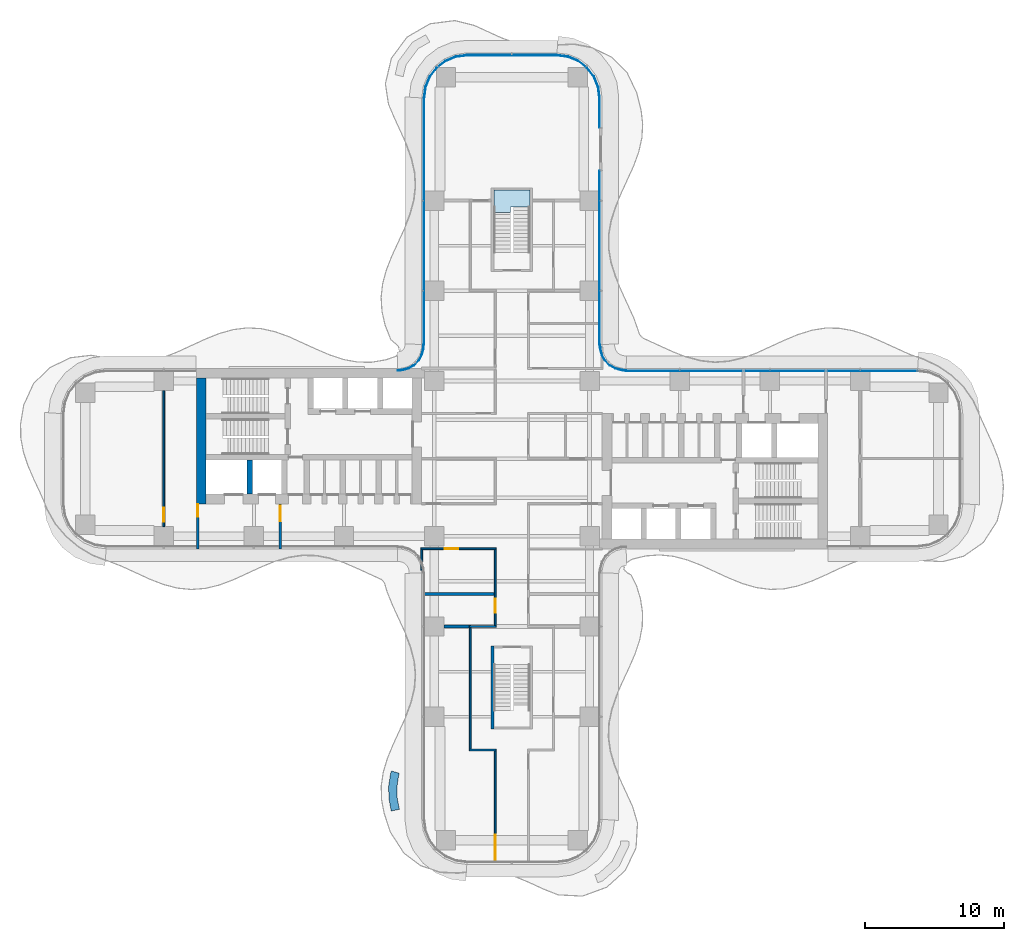
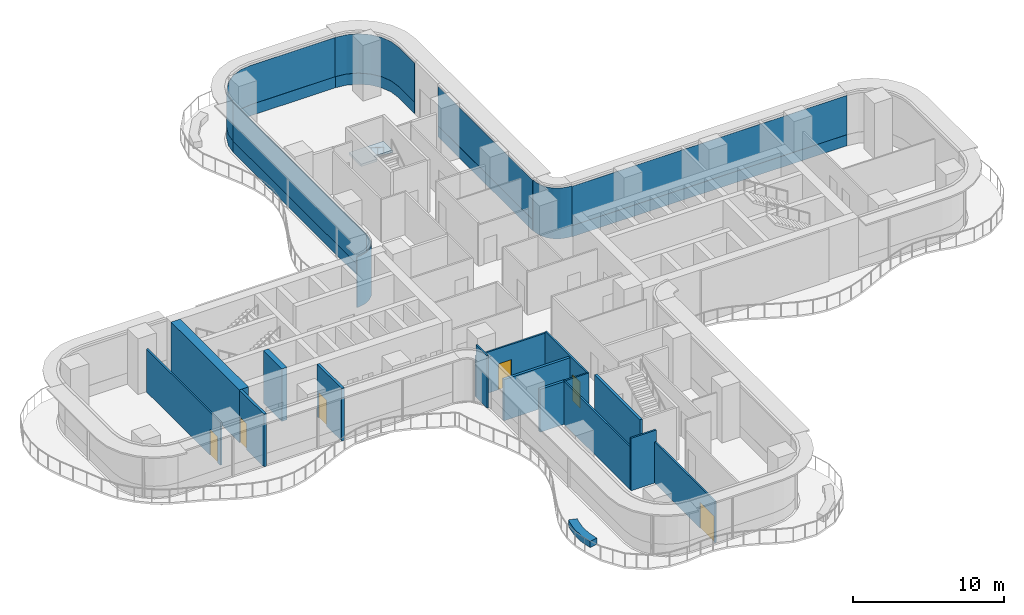
# One storey, part 16 of 22: 16 walls, 12 plates, 6 doors, 1 slab, 6 openings, 8 elements without a shape of their own.
"""IFC4 building model written with IfcOpenShell, lengths in metres."""

from ifc_helpers import new_model, si_unit, direction, frame, frame_2d, origin, place, context, subcontext, project, spatial, polyline, rectangle, outline, extrude, source, transform, mapped, material, layer, layer_set, type_object, element, fill, aggregate, save


model = new_model("IFC4")

# Units and contexts
model_context = context("Model", 3, precision=1e-05, world=origin(), true_north=direction((0.0, 1.0)))
body_context = subcontext(model_context, "Body", "Model", "MODEL_VIEW")
ifc_project = project(units=[si_unit("LENGTHUNIT", "METRE"), si_unit("AREAUNIT", "SQUARE_METRE"), si_unit("VOLUMEUNIT", "CUBIC_METRE"), si_unit("PLANEANGLEUNIT", "RADIAN"), si_unit("MASSUNIT", "GRAM", prefix="KILO")], contexts=[model_context])

# Site, building, storey
site_placement = place(None, origin())
site = spatial("IfcSite", under=ifc_project, at=site_placement, CompositionType="ELEMENT")
building_placement = place(site_placement, origin())
building = spatial("IfcBuilding", under=site, at=building_placement, Name="Trellis Farm Tower", CompositionType="ELEMENT")
storey_placement = place(building_placement, frame((0.0, 0.0, 47.5)))
storey = spatial("IfcBuildingStorey", under=building, at=storey_placement, Name="L09", CompositionType="ELEMENT", Elevation=47.5)

# Stair, slab
ifc_material_1 = material(Name="Concrete C50/60", Category="concrete")
stair_type = type_object("IfcStairType", Name="CORE EXIT STAIR 26 RISERS 173 MM", PredefinedType="HALF_TURN_STAIR", material=ifc_material_1)
placement_1 = place(storey_placement, origin())
stair = element("IfcStair", 1, at=placement_1, inside=storey, type_object=stair_type, Name="Exit stair N", PredefinedType="HALF_TURN_STAIR")
ifc_layer_1 = layer(ifc_material_1, 0.18994140625)
ifc_layer_set_1 = layer_set([ifc_layer_1], Name="CORE STAIR LANDING 190 CONCRETE C50/60")
slab_type = type_object("IfcSlabType", Name="CORE STAIR LANDING 190 CONCRETE C50/60", PredefinedType="LANDING", material=ifc_layer_set_1)
shared_shape_1 = source(origin(), body_context, "Body", "SweptSolid", [
    extrude(outline(polyline([(-0.10009765625, 17.753173828125), (-1.300048828125, 17.753173828125), (-1.300048828125, 18.14990234375), (-1.300048828125, 19.35009765625), (1.300048828125, 19.35009765625), (1.300048828125, 18.14990234375), (1.300048828125, 18.139892578125), (0.10009765625, 18.139892578125), (0.10009765625, 18.14990234375), (-0.10009765625, 18.14990234375), (-0.10009765625, 17.753173828125)])), origin(), (0.0, 0.0, 1.0), 0.18994140625),
])
slab_placement = place(storey_placement, frame((0.0, 0.0, 2.06005859375)))
slab = element("IfcSlab", 2, at=slab_placement, type_object=slab_type, Name="STN landing 1", PredefinedType="LANDING", context=body_context, shape_type="MappedRepresentation", body=[
    mapped(shared_shape_1, transform((0.0, 0.0, 0.0))),
])
aggregate(stair, [slab])

# Curtain wall, plates
ifc_material_2 = material(Name="Aluminium and glass curtain wall", Category="aluminium")
ifc_layer_2 = layer(ifc_material_2, 0.18994140625)
ifc_layer_set_2 = layer_set([ifc_layer_2], Name="RIBBON CURTAIN WALL CW1")
curtain_wall_type_1 = type_object("IfcCurtainWallType", Name="RIBBON CURTAIN WALL CW1", PredefinedType="NOTDEFINED", material=ifc_layer_set_2)
curtain_wall_1 = element("IfcCurtainWall", 3, at=placement_1, inside=storey, type_object=curtain_wall_type_1, Name="CW1 007", PredefinedType="NOTDEFINED")
ifc_material_3 = material(Name="Clear insulated glass", Category="glass")
ifc_layer_3 = layer(ifc_material_3, 0.0400390625)
ifc_layer_set_3 = layer_set([ifc_layer_3], Name="CW1 GLASS PANEL 40")
plate_type_1 = type_object("IfcPlateType", Name="CW1 GLASS PANEL 40", PredefinedType="CURTAIN_PANEL", material=ifc_layer_set_3)
shared_shape_2 = source(origin(), body_context, "Body", "SweptSolid", [
    extrude(outline(polyline([(29.240234375, 6.35009765625), (8.2265625, 6.35009765625), (8.22509765625, 6.31005859375), (29.237548828125, 6.31005859375), (29.240234375, 6.35009765625)])), origin(), (0.0, 0.0, 1.0), 3.170166015625),
])
placement_2 = place(storey_placement, frame((0.0, 0.0, 0.89990234375)))
plate_1 = element("IfcPlate", 4, at=placement_2, type_object=plate_type_1, Name="PL1 007", PredefinedType="CURTAIN_PANEL", context=body_context, shape_type="MappedRepresentation", body=[
    mapped(shared_shape_2, transform((0.0, 0.0, 0.0))),
])
ifc_material_4 = material(Name="Sandstone faced insulated panel", Category="masonry")
ifc_layer_4 = layer(ifc_material_4, 0.050048828125)
ifc_layer_set_4 = layer_set([ifc_layer_4], Name="CW1 STONE SPANDREL PANEL 50")
plate_type_2 = type_object("IfcPlateType", Name="CW1 STONE SPANDREL PANEL 50", PredefinedType="CURTAIN_PANEL", material=ifc_layer_set_4)
shared_shape_3 = source(origin(), body_context, "Body", "SweptSolid", [
    extrude(outline(polyline([(29.240234375, 6.35009765625), (8.2265625, 6.35009765625), (8.224853515625, 6.300048828125), (29.23681640625, 6.300048828125), (29.240234375, 6.35009765625)])), origin(), (0.0, 0.0, 1.0), 0.89990234375),
])
plate_2 = element("IfcPlate", 5, at=placement_1, type_object=plate_type_2, Name="PS1 007", PredefinedType="CURTAIN_PANEL", context=body_context, shape_type="MappedRepresentation", body=[
    mapped(shared_shape_3, transform((0.0, 0.0, 0.0))),
])
aggregate(curtain_wall_1, [plate_1, plate_2])

# Curtain wall, plate
ifc_layer_5 = layer(ifc_material_2, 0.166015625)
ifc_layer_set_5 = layer_set([ifc_layer_5], Name="WINTER GARDEN CURTAIN WALL CW3")
curtain_wall_type_2 = type_object("IfcCurtainWallType", Name="WINTER GARDEN CURTAIN WALL CW3", PredefinedType="NOTDEFINED", material=ifc_layer_set_5)
curtain_wall_2 = element("IfcCurtainWall", 6, at=placement_1, inside=storey, type_object=curtain_wall_type_2, Name="CW3 003", PredefinedType="NOTDEFINED")
ifc_layer_6 = layer(ifc_material_3, 0.0458984375)
ifc_layer_set_6 = layer_set([ifc_layer_6], Name="CW3 GLASS PANEL 46")
plate_type_3 = type_object("IfcPlateType", Name="CW3 GLASS PANEL 46", PredefinedType="CURTAIN_PANEL", material=ifc_layer_set_6)
shared_shape_4 = source(origin(), body_context, "Body", "SweptSolid", [
    extrude(outline(polyline([(8.2275390625, 6.3798828125), (8.0078125, 6.394287109375), (7.89208984375, 6.40966796875), (7.462158203125, 6.52490234375), (7.070556640625, 6.7509765625), (6.7509765625, 7.070556640625), (6.52490234375, 7.462158203125), (6.40966796875, 7.89208984375), (6.394287109375, 8.0078125), (6.3798828125, 8.2275390625), (6.333984375, 8.22607421875), (6.3486328125, 8.003173828125), (6.364501953125, 7.883056640625), (6.48193359375, 7.4443359375), (6.714111328125, 7.04248046875), (7.04248046875, 6.714111328125), (7.4443359375, 6.48193359375), (7.883056640625, 6.364501953125), (8.003173828125, 6.3486328125), (8.22607421875, 6.333984375), (8.2275390625, 6.3798828125)])), origin(), (0.0, 0.0, 1.0), 4.10009765625),
])
plate_3 = element("IfcPlate", 7, at=placement_1, type_object=plate_type_3, Name="PL3 003", PredefinedType="CURTAIN_PANEL", context=body_context, shape_type="MappedRepresentation", body=[
    mapped(shared_shape_4, transform((0.0, 0.0, 0.0))),
])
aggregate(curtain_wall_2, [plate_3])

# Curtain wall, plates
curtain_wall_3 = element("IfcCurtainWall", 8, at=placement_1, inside=storey, type_object=curtain_wall_type_1, Name="CW1 010", PredefinedType="NOTDEFINED")
shared_shape_5 = source(origin(), body_context, "Body", "SweptSolid", [
    extrude(outline(polyline([(3.240234375, 29.10009765625), (-3.240234375, 29.10009765625), (-4.052001953125, 28.9931640625), (-4.79931640625, 28.68359375), (-5.441162109375, 28.191162109375), (-5.93359375, 27.54931640625), (-6.2431640625, 26.802001953125), (-6.35009765625, 25.990234375), (-6.31005859375, 25.987548828125), (-6.2041015625, 26.79150390625), (-5.898681640625, 27.529296875), (-5.41259765625, 28.16259765625), (-4.779296875, 28.648681640625), (-4.04150390625, 28.9541015625), (-3.237548828125, 29.06005859375), (3.237548828125, 29.06005859375), (3.240234375, 29.10009765625)])), origin(), (0.0, 0.0, 1.0), 3.170166015625),
])
plate_4 = element("IfcPlate", 9, at=placement_2, type_object=plate_type_1, Name="PL1 010", PredefinedType="CURTAIN_PANEL", context=body_context, shape_type="MappedRepresentation", body=[
    mapped(shared_shape_5, transform((0.0, 0.0, 0.0))),
])
shared_shape_6 = source(origin(), body_context, "Body", "SweptSolid", [
    extrude(outline(polyline([(3.240234375, 29.10009765625), (-3.240234375, 29.10009765625), (-4.052001953125, 28.9931640625), (-4.79931640625, 28.68359375), (-5.441162109375, 28.191162109375), (-5.93359375, 27.54931640625), (-6.2431640625, 26.802001953125), (-6.35009765625, 25.990234375), (-6.300048828125, 25.98681640625), (-6.1943359375, 26.7890625), (-5.889892578125, 27.524169921875), (-5.405517578125, 28.155517578125), (-4.774169921875, 28.639892578125), (-4.0390625, 28.9443359375), (-3.23681640625, 29.050048828125), (3.23681640625, 29.050048828125), (3.240234375, 29.10009765625)])), origin(), (0.0, 0.0, 1.0), 0.89990234375),
])
plate_5 = element("IfcPlate", 10, at=placement_1, type_object=plate_type_2, Name="PS1 010", PredefinedType="CURTAIN_PANEL", context=body_context, shape_type="MappedRepresentation", body=[
    mapped(shared_shape_6, transform((0.0, 0.0, 0.0))),
])
aggregate(curtain_wall_3, [plate_4, plate_5])

curtain_wall_4 = element("IfcCurtainWall", 11, at=placement_1, inside=storey, type_object=curtain_wall_type_1, Name="CW1 011", PredefinedType="NOTDEFINED")
shared_shape_7 = source(origin(), body_context, "Body", "SweptSolid", [
    extrude(outline(polyline([(-6.35009765625, 25.990234375), (-6.35009765625, 8.2265625), (-6.31005859375, 8.22509765625), (-6.31005859375, 25.987548828125), (-6.35009765625, 25.990234375)])), origin(), (0.0, 0.0, 1.0), 3.170166015625),
])
plate_6 = element("IfcPlate", 12, at=placement_2, type_object=plate_type_1, Name="PL1 011", PredefinedType="CURTAIN_PANEL", context=body_context, shape_type="MappedRepresentation", body=[
    mapped(shared_shape_7, transform((0.0, 0.0, 0.0))),
])
shared_shape_8 = source(origin(), body_context, "Body", "SweptSolid", [
    extrude(outline(polyline([(-6.35009765625, 25.990234375), (-6.35009765625, 8.2265625), (-6.300048828125, 8.224853515625), (-6.300048828125, 25.98681640625), (-6.35009765625, 25.990234375)])), origin(), (0.0, 0.0, 1.0), 0.89990234375),
])
plate_7 = element("IfcPlate", 13, at=placement_1, type_object=plate_type_2, Name="PS1 011", PredefinedType="CURTAIN_PANEL", context=body_context, shape_type="MappedRepresentation", body=[
    mapped(shared_shape_8, transform((0.0, 0.0, 0.0))),
])
aggregate(curtain_wall_4, [plate_6, plate_7])

# Curtain wall, plate
curtain_wall_5 = element("IfcCurtainWall", 14, at=placement_1, inside=storey, type_object=curtain_wall_type_2, Name="CW3 004", PredefinedType="NOTDEFINED")
shared_shape_9 = source(origin(), body_context, "Body", "SweptSolid", [
    extrude(outline(polyline([(-6.3798828125, 8.2275390625), (-6.394287109375, 8.0078125), (-6.40966796875, 7.89208984375), (-6.52490234375, 7.462158203125), (-6.7509765625, 7.070556640625), (-7.070556640625, 6.7509765625), (-7.462158203125, 6.52490234375), (-7.89208984375, 6.40966796875), (-8.0078125, 6.394287109375), (-8.2275390625, 6.3798828125), (-8.22607421875, 6.333984375), (-8.003173828125, 6.3486328125), (-7.883056640625, 6.364501953125), (-7.4443359375, 6.48193359375), (-7.04248046875, 6.714111328125), (-6.714111328125, 7.04248046875), (-6.48193359375, 7.4443359375), (-6.364501953125, 7.883056640625), (-6.3486328125, 8.003173828125), (-6.333984375, 8.22607421875), (-6.3798828125, 8.2275390625)])), origin(), (0.0, 0.0, 1.0), 4.10009765625),
])
plate_8 = element("IfcPlate", 15, at=placement_1, type_object=plate_type_3, Name="PL3 004", PredefinedType="CURTAIN_PANEL", context=body_context, shape_type="MappedRepresentation", body=[
    mapped(shared_shape_9, transform((0.0, 0.0, 0.0))),
])
aggregate(curtain_wall_5, [plate_8])

# Curtain wall, plates
curtain_wall_6 = element("IfcCurtainWall", 16, at=placement_1, inside=storey, type_object=curtain_wall_type_1, Name="CW1 008", PredefinedType="NOTDEFINED")
shared_shape_10 = source(origin(), body_context, "Body", "SweptSolid", [
    extrude(outline(polyline([(6.35009765625, 8.2265625), (6.35009765625, 20.739990234375), (6.31005859375, 20.739990234375), (6.31005859375, 8.22509765625), (6.35009765625, 8.2265625)])), origin(), (0.0, 0.0, 1.0), 3.170166015625),
])
plate_9 = element("IfcPlate", 17, at=placement_2, type_object=plate_type_1, Name="PL1 008", PredefinedType="CURTAIN_PANEL", context=body_context, shape_type="MappedRepresentation", body=[
    mapped(shared_shape_10, transform((0.0, 0.0, 0.0))),
])
shared_shape_11 = source(origin(), body_context, "Body", "SweptSolid", [
    extrude(outline(polyline([(6.35009765625, 8.2265625), (6.35009765625, 20.739990234375), (6.300048828125, 20.739990234375), (6.300048828125, 8.224853515625), (6.35009765625, 8.2265625)])), origin(), (0.0, 0.0, 1.0), 0.89990234375),
])
plate_10 = element("IfcPlate", 18, at=placement_1, type_object=plate_type_2, Name="PS1 008", PredefinedType="CURTAIN_PANEL", context=body_context, shape_type="MappedRepresentation", body=[
    mapped(shared_shape_11, transform((0.0, 0.0, 0.0))),
])
aggregate(curtain_wall_6, [plate_9, plate_10])

curtain_wall_7 = element("IfcCurtainWall", 19, at=placement_1, inside=storey, type_object=curtain_wall_type_1, Name="CW1 009", PredefinedType="NOTDEFINED")
shared_shape_12 = source(origin(), body_context, "Body", "SweptSolid", [
    extrude(outline(polyline([(6.35009765625, 23.860107421875), (6.35009765625, 25.990234375), (6.2431640625, 26.802001953125), (5.93359375, 27.54931640625), (5.441162109375, 28.191162109375), (4.79931640625, 28.68359375), (4.052001953125, 28.9931640625), (3.240234375, 29.10009765625), (3.237548828125, 29.06005859375), (4.04150390625, 28.9541015625), (4.779296875, 28.648681640625), (5.41259765625, 28.16259765625), (5.898681640625, 27.529296875), (6.2041015625, 26.79150390625), (6.31005859375, 25.987548828125), (6.31005859375, 23.860107421875), (6.35009765625, 23.860107421875)])), origin(), (0.0, 0.0, 1.0), 3.170166015625),
])
plate_11 = element("IfcPlate", 20, at=placement_2, type_object=plate_type_1, Name="PL1 009", PredefinedType="CURTAIN_PANEL", context=body_context, shape_type="MappedRepresentation", body=[
    mapped(shared_shape_12, transform((0.0, 0.0, 0.0))),
])
shared_shape_13 = source(origin(), body_context, "Body", "SweptSolid", [
    extrude(outline(polyline([(6.35009765625, 23.860107421875), (6.35009765625, 25.990234375), (6.2431640625, 26.802001953125), (5.93359375, 27.54931640625), (5.441162109375, 28.191162109375), (4.79931640625, 28.68359375), (4.052001953125, 28.9931640625), (3.240234375, 29.10009765625), (3.23681640625, 29.050048828125), (4.0390625, 28.9443359375), (4.774169921875, 28.639892578125), (5.405517578125, 28.155517578125), (5.889892578125, 27.524169921875), (6.1943359375, 26.7890625), (6.300048828125, 25.98681640625), (6.300048828125, 23.860107421875), (6.35009765625, 23.860107421875)])), origin(), (0.0, 0.0, 1.0), 0.89990234375),
])
plate_12 = element("IfcPlate", 21, at=placement_1, type_object=plate_type_2, Name="PS1 009", PredefinedType="CURTAIN_PANEL", context=body_context, shape_type="MappedRepresentation", body=[
    mapped(shared_shape_13, transform((0.0, 0.0, 0.0))),
])
aggregate(curtain_wall_7, [plate_11, plate_12])

# Walls
ifc_material_5 = material(Name="Sandstone faced masonry planter", Category="masonry")
ifc_layer_7 = layer(ifc_material_5, 0.60009765625)
ifc_layer_set_7 = layer_set([ifc_layer_7], Name="PLANTER BED 600")
wall_type_1 = type_object("IfcWallType", Name="PLANTER BED 600", PredefinedType="USERDEFINED", material=ifc_layer_set_7)
element("IfcWall", 22, at=placement_1, inside=storey, type_object=wall_type_1, Name="PLANTER bed", ObjectType="PLANTER", PredefinedType="USERDEFINED", context=body_context, shape_type="SweptSolid", body=[
    extrude(outline(polyline([(-8.8876953125, -23.645263671875), (-8.7548828125, -22.73095703125), (-8.6875, -22.505615234375), (-8.112548828125, -22.677734375), (-8.16748046875, -22.86083984375), (-8.286376953125, -23.6796875), (-8.2626953125, -24.48291015625), (-8.105712890625, -25.277099609375), (-8.6943359375, -25.3935546875), (-8.861083984375, -24.55029296875), (-8.8876953125, -23.645263671875)])), origin(), (0.0, 0.0, 1.0), 0.5),
])
ifc_material_6 = material(Name="Concrete C80/95", Category="concrete")
ifc_layer_8 = layer(ifc_material_6, 0.699951171875)
ifc_layer_set_8 = layer_set([ifc_layer_8], Name="CORE OUTER WALL 700 CONCRETE C80/95")
wall_type_2 = type_object("IfcWallType", Name="CORE OUTER WALL 700 CONCRETE C80/95", PredefinedType="SHEAR", material=ifc_layer_set_8)
shared_shape_14 = source(origin(), body_context, "Body", "SweptSolid", [
    extrude(rectangle(XDim=9.050048828125, YDim=0.699951171875, at=frame_2d((4.52490234375, 0.0))), origin(), (0.0, 0.0, 1.0), 4.25),
])
wall_2_placement = place(storey_placement, frame((-22.39990234375, 5.800048828125, 0.0), z_axis=(0.0, 0.0, 1.0), x_axis=(0.0, -1.0, 0.0)))
element("IfcWall", 23, at=wall_2_placement, inside=storey, type_object=wall_type_2, Name="Core wall", PredefinedType="SHEAR", context=body_context, shape_type="MappedRepresentation", body=[
    mapped(shared_shape_14, transform((0.0, 0.0, 0.0))),
])
ifc_layer_9 = layer(ifc_material_6, 0.39990234375)
ifc_layer_set_9 = layer_set([ifc_layer_9], Name="CORE INNER WALL 400 CONCRETE C80/95")
wall_type_3 = type_object("IfcWallType", Name="CORE INNER WALL 400 CONCRETE C80/95", PredefinedType="SHEAR", material=ifc_layer_set_9)
shared_shape_15 = source(origin(), body_context, "Body", "SweptSolid", [
    extrude(rectangle(XDim=2.449951171875, YDim=0.39990234375, at=frame_2d((1.22509765625, 0.0))), origin(), (0.0, 0.0, 1.0), 4.25),
])
wall_3_placement = place(storey_placement, frame((-18.89990234375, -0.10009765625, 0.0), z_axis=(0.0, 0.0, 1.0), x_axis=(0.0, -1.0, 0.0)))
element("IfcWall", 24, at=wall_3_placement, inside=storey, type_object=wall_type_3, Name="Core wall", PredefinedType="SHEAR", context=body_context, shape_type="MappedRepresentation", body=[
    mapped(shared_shape_15, transform((0.0, 0.0, 0.0))),
])

# Wall, opening, door
ifc_material_7 = material(Name="Masonry blockwork", Category="masonry")
ifc_layer_10 = layer(ifc_material_7, 0.199951171875)
ifc_layer_set_10 = layer_set([ifc_layer_10], Name="FIRE LOBBY PARTITION 200 BLOCKWORK")
wall_type_4 = type_object("IfcWallType", Name="FIRE LOBBY PARTITION 200 BLOCKWORK", PredefinedType="PARTITIONING", material=ifc_layer_set_10)
shared_shape_16 = source(origin(), body_context, "Body", "SweptSolid", [
    extrude(rectangle(XDim=3.25, YDim=0.199951171875, at=frame_2d((1.625, 0.0))), origin(), (0.0, 0.0, 1.0), 4.25),
])
wall_4_placement = place(storey_placement, frame((-16.699951171875, -3.25, 0.0), z_axis=(0.0, 0.0, 1.0), x_axis=(0.0, -1.0, 0.0)))
wall_4 = element("IfcWall", 25, at=wall_4_placement, inside=storey, type_object=wall_type_4, Name="Fire-fighting lobby partition", PredefinedType="PARTITIONING", context=body_context, shape_type="MappedRepresentation", body=[
    mapped(shared_shape_16, transform((0.0, 0.0, 0.0))),
])
shared_shape_17 = source(origin(), body_context, "Body", "SweptSolid", [
    extrude(rectangle(XDim=1.10009765625, YDim=2.10009765625, at=frame_2d((0.550048828125, 1.050048828125))), frame((0.0, 0.110107421875, 0.0), z_axis=(0.0, -1.0, 0.0), x_axis=(1.0, 0.0, 0.0)), (0.0, 0.0, 1.0), 0.22021484375),
])
opening_1_placement = place(wall_4_placement, frame((0.14990234375, 0.0, 0.0)))
opening_1 = element("IfcOpeningElement", 26, at=opening_1_placement, cuts=wall_4, Name="Opening DC93", PredefinedType="OPENING", context=body_context, shape_type="MappedRepresentation", body=[
    mapped(shared_shape_17, transform((0.0, 0.0, 0.0))),
])
ifc_material_8 = material(Name="Steel", Category="steel")
door_type_1 = type_object("IfcDoorType", Name="CORE FIRE DOOR 1100 X 2100", OperationType="NOTDEFINED", PredefinedType="DOOR", material=ifc_material_8)
shared_shape_18 = source(origin(), body_context, "Body", "SweptSolid", [
    extrude(rectangle(XDim=1.10009765625, YDim=2.10009765625, at=frame_2d((0.550048828125, 1.050048828125))), frame((0.0, 0.02490234375, 0.0), z_axis=(0.0, -1.0, 0.0), x_axis=(1.0, 0.0, 0.0)), (0.0, 0.0, 1.0), 0.050048828125),
])
door_1_placement = place(opening_1_placement, origin())
door_1 = element("IfcDoor", 27, at=door_1_placement, inside=storey, type_object=door_type_1, Name="Core door", OperationType="SINGLE_SWING_RIGHT", OverallHeight=2.10009765625, OverallWidth=1.10009765625, PredefinedType="DOOR", context=body_context, shape_type="MappedRepresentation", body=[
    mapped(shared_shape_18, transform((0.0, 0.0, 0.0))),
])
fill(opening_1, door_1)

wall_5_placement = place(storey_placement, frame((-22.64990234375, -3.25, 0.0), z_axis=(0.0, 0.0, 1.0), x_axis=(0.0, -1.0, 0.0)))
wall_5 = element("IfcWall", 28, at=wall_5_placement, inside=storey, type_object=wall_type_4, Name="Fire-fighting lobby partition", PredefinedType="PARTITIONING", context=body_context, shape_type="MappedRepresentation", body=[
    mapped(shared_shape_16, transform((0.0, 0.0, 0.0))),
])
shared_shape_19 = source(origin(), body_context, "Body", "SweptSolid", [
    extrude(rectangle(XDim=0.89990234375, YDim=2.10009765625, at=frame_2d((0.449951171875, 1.050048828125))), frame((0.0, 0.110107421875, 0.0), z_axis=(0.0, -1.0, 0.0), x_axis=(1.0, 0.0, 0.0)), (0.0, 0.0, 1.0), 0.22021484375),
])
opening_2_placement = place(wall_5_placement, frame((0.050048828125, 0.0, 0.0)))
opening_2 = element("IfcOpeningElement", 29, at=opening_2_placement, cuts=wall_5, Name="Opening DC94", PredefinedType="OPENING", context=body_context, shape_type="MappedRepresentation", body=[
    mapped(shared_shape_19, transform((0.0, 0.0, 0.0))),
])
door_type_2 = type_object("IfcDoorType", Name="CORE FIRE DOOR 900 X 2100", OperationType="NOTDEFINED", PredefinedType="DOOR", material=ifc_material_8)
shared_shape_20 = source(origin(), body_context, "Body", "SweptSolid", [
    extrude(rectangle(XDim=0.89990234375, YDim=2.10009765625, at=frame_2d((0.449951171875, 1.050048828125))), frame((0.0, 0.02490234375, 0.0), z_axis=(0.0, -1.0, 0.0), x_axis=(1.0, 0.0, 0.0)), (0.0, 0.0, 1.0), 0.050048828125),
])
door_2_placement = place(opening_2_placement, origin())
door_2 = element("IfcDoor", 30, at=door_2_placement, inside=storey, type_object=door_type_2, Name="Core door", OperationType="SINGLE_SWING_RIGHT", OverallHeight=2.10009765625, OverallWidth=0.89990234375, PredefinedType="DOOR", context=body_context, shape_type="MappedRepresentation", body=[
    mapped(shared_shape_20, transform((0.0, 0.0, 0.0))),
])
fill(opening_2, door_2)

# Wall
ifc_layer_11 = layer(ifc_material_6, 0.199951171875)
ifc_layer_set_11 = layer_set([ifc_layer_11], Name="CORE STAIR ENCLOSURE WALL 200 CONCRETE C80/95")
wall_type_5 = type_object("IfcWallType", Name="CORE STAIR ENCLOSURE WALL 200 CONCRETE C80/95", PredefinedType="SHEAR", material=ifc_layer_set_11)
shared_shape_21 = source(origin(), body_context, "Body", "SweptSolid", [
    extrude(rectangle(XDim=6.0, YDim=0.199951171875, at=frame_2d((3.0, 0.0))), origin(), (0.0, 0.0, 1.0), 4.25),
])
wall_6_placement = place(storey_placement, frame((-1.39990234375, -13.5, 0.0), z_axis=(0.0, 0.0, 1.0), x_axis=(0.0, -1.0, 0.0)))
element("IfcWall", 31, at=wall_6_placement, inside=storey, type_object=wall_type_5, Name="Stair enclosure wall", PredefinedType="SHEAR", context=body_context, shape_type="MappedRepresentation", body=[
    mapped(shared_shape_21, transform((0.0, 0.0, 0.0))),
])

# Wall, opening, door
ifc_material_9 = material(Name="Plasterboard on steel studs, mineral wool", Category="steel")
ifc_layer_12 = layer(ifc_material_9, 0.125)
ifc_layer_set_12 = layer_set([ifc_layer_12], Name="PARTITION 125 STUD EI 60")
wall_type_6 = type_object("IfcWallType", Name="PARTITION 125 STUD EI 60", PredefinedType="PARTITIONING", material=ifc_layer_set_12)
shared_shape_22 = source(origin(), body_context, "Body", "SweptSolid", [
    extrude(rectangle(XDim=5.47509765625, YDim=0.125, at=frame_2d((2.737548828125, 0.0))), origin(), (0.0, 0.0, 1.0), 3.4677734375),
])
wall_7_placement = place(storey_placement, frame((-1.199951171875, -6.5625, 0.0), z_axis=(0.0, 0.0, 1.0), x_axis=(0.0, -1.0, 0.0)))
wall_7 = element("IfcWall", 32, at=wall_7_placement, inside=storey, type_object=wall_type_6, Name="Partition PW1", PredefinedType="PARTITIONING", context=body_context, shape_type="MappedRepresentation", body=[
    mapped(shared_shape_22, transform((0.0, 0.0, 0.0))),
])
shared_shape_23 = source(origin(), body_context, "Body", "SweptSolid", [
    extrude(rectangle(XDim=1.0, YDim=2.10009765625, at=frame_2d((0.5, 1.050048828125))), frame((0.0, 0.072509765625, 0.0), z_axis=(0.0, -1.0, 0.0), x_axis=(1.0, 0.0, 0.0)), (0.0, 0.0, 1.0), 0.14501953125),
])
opening_3_placement = place(wall_7_placement, frame((3.53759765625, 0.0, 0.0)))
opening_3 = element("IfcOpeningElement", 33, at=opening_3_placement, cuts=wall_7, Name="Opening D301", PredefinedType="OPENING", context=body_context, shape_type="MappedRepresentation", body=[
    mapped(shared_shape_23, transform((0.0, 0.0, 0.0))),
])
ifc_material_10 = material(Name="Fire-rated timber door leaf in a hollow metal frame", Category="wood")
door_type_3 = type_object("IfcDoorType", Name="DOOR 1000x2100 FD60", OperationType="NOTDEFINED", PredefinedType="DOOR", material=ifc_material_10)
shared_shape_24 = source(origin(), body_context, "Body", "SweptSolid", [
    extrude(rectangle(XDim=1.0, YDim=2.10009765625, at=frame_2d((0.5, 1.050048828125))), frame((0.0, 0.02490234375, 0.0), z_axis=(0.0, -1.0, 0.0), x_axis=(1.0, 0.0, 0.0)), (0.0, 0.0, 1.0), 0.050048828125),
])
door_3_placement = place(opening_3_placement, origin())
door_3 = element("IfcDoor", 34, at=door_3_placement, inside=storey, type_object=door_type_3, Name="Door D301", OperationType="SINGLE_SWING_LEFT", OverallHeight=2.10009765625, OverallWidth=1.0, PredefinedType="DOOR", context=body_context, shape_type="MappedRepresentation", body=[
    mapped(shared_shape_24, transform((0.0, 0.0, 0.0))),
])
fill(opening_3, door_3)

# Wall
shared_shape_25 = source(origin(), body_context, "Body", "SweptSolid", [
    extrude(rectangle(XDim=1.468994140625, YDim=0.125, at=frame_2d((0.734375, 0.0))), origin(), (0.0, 0.0, 1.0), 4.25),
])
wall_8_placement = place(storey_placement, frame((-6.5, -6.5625, 0.0), z_axis=(0.0, 0.0, 1.0), x_axis=(0.0, -1.0, 0.0)))
element("IfcWall", 35, at=wall_8_placement, inside=storey, type_object=wall_type_6, Name="Partition PW1", PredefinedType="PARTITIONING", context=body_context, shape_type="MappedRepresentation", body=[
    mapped(shared_shape_25, transform((0.0, 0.0, 0.0))),
])

# Wall, opening, door
shared_shape_26 = source(origin(), body_context, "Body", "SweptSolid", [
    extrude(rectangle(XDim=9.7998046875, YDim=0.125, at=frame_2d((4.89990234375, 0.0))), origin(), (0.0, 0.0, 1.0), 3.4677734375),
])
wall_9_placement = place(storey_placement, frame((-25.10009765625, -4.89990234375, 0.0), z_axis=(0.0, 0.0, 1.0), x_axis=(0.0, 1.0, 0.0)))
wall_9 = element("IfcWall", 36, at=wall_9_placement, inside=storey, type_object=wall_type_6, Name="Partition PW1", PredefinedType="PARTITIONING", context=body_context, shape_type="MappedRepresentation", body=[
    mapped(shared_shape_26, transform((0.0, 0.0, 0.0))),
])
opening_4_placement = place(wall_9_placement, frame((0.35009765625, 0.0, 0.0)))
opening_4 = element("IfcOpeningElement", 37, at=opening_4_placement, cuts=wall_9, Name="Opening D106", PredefinedType="OPENING", context=body_context, shape_type="MappedRepresentation", body=[
    mapped(shared_shape_23, transform((0.0, 0.0, 0.0))),
])
door_type_4 = type_object("IfcDoorType", Name="DOOR 1000x2100 FD30S", OperationType="NOTDEFINED", PredefinedType="DOOR", material=ifc_material_10)
door_4_placement = place(opening_4_placement, origin())
door_4 = element("IfcDoor", 38, at=door_4_placement, inside=storey, type_object=door_type_4, Name="Door D106", OperationType="SINGLE_SWING_LEFT", OverallHeight=2.10009765625, OverallWidth=1.0, PredefinedType="DOOR", context=body_context, shape_type="MappedRepresentation", body=[
    mapped(shared_shape_24, transform((0.0, 0.0, 0.0))),
])
fill(opening_4, door_4)

# Wall
shared_shape_27 = source(origin(), body_context, "Body", "SweptSolid", [
    extrude(rectangle(XDim=1.925048828125, YDim=0.125, at=frame_2d((0.96240234375, 0.0))), origin(), (0.0, 0.0, 1.0), 3.4677734375),
])
wall_10_placement = place(storey_placement, frame((-3.0625, -12.10009765625, 0.0), z_axis=(0.0, 0.0, 1.0), x_axis=(1.0, 0.0, 0.0)))
element("IfcWall", 39, at=wall_10_placement, inside=storey, type_object=wall_type_6, Name="Partition PW1", PredefinedType="PARTITIONING", context=body_context, shape_type="MappedRepresentation", body=[
    mapped(shared_shape_27, transform((0.0, 0.0, 0.0))),
])

# Wall, opening, door
shared_shape_28 = source(origin(), body_context, "Body", "SweptSolid", [
    extrude(rectangle(XDim=5.425048828125, YDim=0.125, at=frame_2d((2.71240234375, 0.0))), origin(), (0.0, 0.0, 1.0), 3.330078125),
])
wall_11_placement = place(storey_placement, frame((-1.137451171875, -6.5, 0.0), z_axis=(0.0, 0.0, 1.0), x_axis=(-1.0, 0.0, 0.0)))
wall_11 = element("IfcWall", 40, at=wall_11_placement, inside=storey, type_object=wall_type_6, Name="Partition PW1", PredefinedType="PARTITIONING", context=body_context, shape_type="MappedRepresentation", body=[
    mapped(shared_shape_28, transform((0.0, 0.0, 0.0))),
])
opening_5_placement = place(wall_11_placement, frame((2.71240234375, 0.0, 0.0)))
opening_5 = element("IfcOpeningElement", 41, at=opening_5_placement, cuts=wall_11, Name="Opening D105", PredefinedType="OPENING", context=body_context, shape_type="MappedRepresentation", body=[
    mapped(shared_shape_23, transform((0.0, 0.0, 0.0))),
])
door_5_placement = place(opening_5_placement, origin())
door_5 = element("IfcDoor", 42, at=door_5_placement, inside=storey, type_object=door_type_4, Name="Door D105", OperationType="SINGLE_SWING_RIGHT", OverallHeight=2.10009765625, OverallWidth=1.0, PredefinedType="DOOR", context=body_context, shape_type="MappedRepresentation", body=[
    mapped(shared_shape_24, transform((0.0, 0.0, 0.0))),
])
fill(opening_5, door_5)

# Wall
ifc_material_11 = material(Name="Lightweight blockwork, plastered", Category="masonry")
ifc_layer_13 = layer(ifc_material_11, 0.199951171875)
ifc_layer_set_13 = layer_set([ifc_layer_13], Name="BLOCK WALL 200 EI 120")
wall_type_7 = type_object("IfcWallType", Name="BLOCK WALL 200 EI 120", PredefinedType="PARTITIONING", material=ifc_layer_set_13)
shared_shape_29 = source(origin(), body_context, "Body", "SweptSolid", [
    extrude(rectangle(XDim=1.96240234375, YDim=0.199951171875, at=frame_2d((0.981201171875, 0.0))), origin(), (0.0, 0.0, 1.0), 3.4677734375),
])
wall_12_placement = place(storey_placement, frame((-4.89990234375, -12.10009765625, 0.0), z_axis=(0.0, 0.0, 1.0), x_axis=(1.0, 0.0, 0.0)))
element("IfcWall", 43, at=wall_12_placement, inside=storey, type_object=wall_type_7, Name="Partition PW3", PredefinedType="PARTITIONING", context=body_context, shape_type="MappedRepresentation", body=[
    mapped(shared_shape_29, transform((0.0, 0.0, 0.0))),
])

# Wall, opening, door
shared_shape_30 = source(origin(), body_context, "Body", "SweptSolid", [
    extrude(rectangle(XDim=7.987548828125, YDim=0.125, at=frame_2d((3.99365234375, 0.0))), origin(), (0.0, 0.0, 1.0), 3.330078125),
])
wall_13_placement = place(storey_placement, frame((-1.199951171875, -21.0625, 0.0), z_axis=(0.0, 0.0, 1.0), x_axis=(0.0, -1.0, 0.0)))
wall_13 = element("IfcWall", 44, at=wall_13_placement, inside=storey, type_object=wall_type_6, Name="Partition PW1", PredefinedType="PARTITIONING", context=body_context, shape_type="MappedRepresentation", body=[
    mapped(shared_shape_30, transform((0.0, 0.0, 0.0))),
])
shared_shape_31 = source(origin(), body_context, "Body", "SweptSolid", [
    extrude(rectangle(XDim=1.800048828125, YDim=2.10009765625, at=frame_2d((0.89990234375, 1.050048828125))), frame((0.0, 0.072509765625, 0.0), z_axis=(0.0, -1.0, 0.0), x_axis=(1.0, 0.0, 0.0)), (0.0, 0.0, 1.0), 0.14501953125),
])
opening_6_placement = place(wall_13_placement, frame((6.03759765625, 0.0, 0.0)))
opening_6 = element("IfcOpeningElement", 45, at=opening_6_placement, cuts=wall_13, Name="Opening D201", PredefinedType="OPENING", context=body_context, shape_type="MappedRepresentation", body=[
    mapped(shared_shape_31, transform((0.0, 0.0, 0.0))),
])
door_type_5 = type_object("IfcDoorType", Name="DOOR PAIR 1800x2100 FD30S", OperationType="NOTDEFINED", PredefinedType="DOOR", material=ifc_material_10)
shared_shape_32 = source(origin(), body_context, "Body", "SweptSolid", [
    extrude(rectangle(XDim=1.800048828125, YDim=2.10009765625, at=frame_2d((0.89990234375, 1.050048828125))), frame((0.0, 0.02490234375, 0.0), z_axis=(0.0, -1.0, 0.0), x_axis=(1.0, 0.0, 0.0)), (0.0, 0.0, 1.0), 0.050048828125),
])
door_6_placement = place(opening_6_placement, origin())
door_6 = element("IfcDoor", 46, at=door_6_placement, inside=storey, type_object=door_type_5, Name="Door D201", OperationType="DOUBLE_DOOR_SINGLE_SWING", OverallHeight=2.10009765625, OverallWidth=1.800048828125, PredefinedType="DOOR", context=body_context, shape_type="MappedRepresentation", body=[
    mapped(shared_shape_32, transform((0.0, 0.0, 0.0))),
])
fill(opening_6, door_6)

# Walls
shared_shape_33 = source(origin(), body_context, "Body", "SweptSolid", [
    extrude(rectangle(XDim=8.737548828125, YDim=0.125, at=frame_2d((4.36865234375, 0.0))), origin(), (0.0, 0.0, 1.0), 3.4677734375),
])
wall_14_placement = place(storey_placement, frame((-3.0, -20.9375, 0.0), z_axis=(0.0, 0.0, 1.0), x_axis=(0.0, 1.0, 0.0)))
element("IfcWall", 47, at=wall_14_placement, inside=storey, type_object=wall_type_6, Name="Partition PW1", PredefinedType="PARTITIONING", context=body_context, shape_type="MappedRepresentation", body=[
    mapped(shared_shape_33, transform((0.0, 0.0, 0.0))),
])
shared_shape_34 = source(origin(), body_context, "Body", "SweptSolid", [
    extrude(rectangle(XDim=1.925048828125, YDim=0.125, at=frame_2d((0.96240234375, 0.0))), origin(), (0.0, 0.0, 1.0), 4.25),
])
wall_15_placement = place(storey_placement, frame((-1.137451171875, -21.0, 0.0), z_axis=(0.0, 0.0, 1.0), x_axis=(-1.0, 0.0, 0.0)))
element("IfcWall", 48, at=wall_15_placement, inside=storey, type_object=wall_type_6, Name="Partition PW1", PredefinedType="PARTITIONING", context=body_context, shape_type="MappedRepresentation", body=[
    mapped(shared_shape_34, transform((0.0, 0.0, 0.0))),
])
shared_shape_35 = source(origin(), body_context, "Body", "SweptSolid", [
    extrude(rectangle(XDim=5.03759765625, YDim=0.199951171875, at=frame_2d((2.518798828125, 0.0))), origin(), (0.0, 0.0, 1.0), 3.330078125),
])
wall_16_placement = place(storey_placement, frame((-6.300048828125, -9.75, 0.0), z_axis=(0.0, 0.0, 1.0), x_axis=(1.0, 0.0, 0.0)))
element("IfcWall", 49, at=wall_16_placement, inside=storey, type_object=wall_type_7, Name="Partition PW3", PredefinedType="PARTITIONING", context=body_context, shape_type="MappedRepresentation", body=[
    mapped(shared_shape_35, transform((0.0, 0.0, 0.0))),
])

save(model, "model.ifc")
